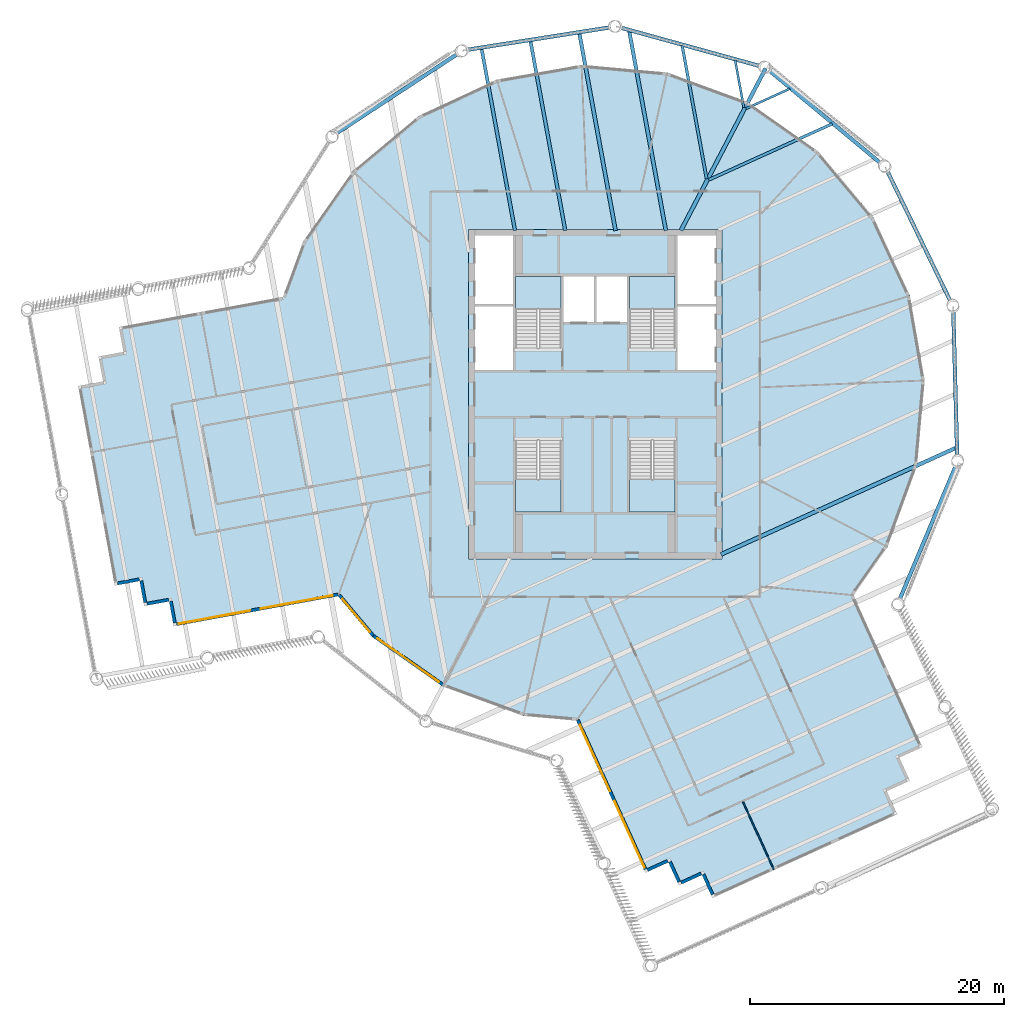
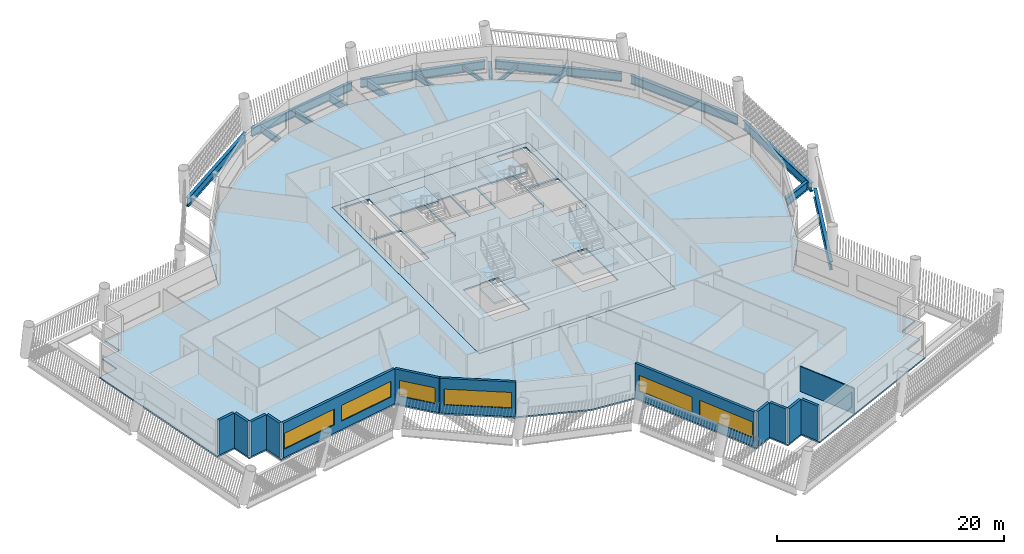
# One storey, part 2 of 15: 17 beams, 13 walls, 6 slabs, 6 windows, 6 openings, 4 elements without a shape of their own.
"""IFC4 building model written with IfcOpenShell, lengths in metres."""

from ifc_helpers import new_model, si_unit, direction, frame, frame_2d, origin, origin_2d, place, context, subcontext, project, spatial, polyline, rectangle, i_section, outline, extrude, material, layer, layer_set, material_profile, profile_set, type_object, element, fill, aggregate, save


model = new_model("IFC4")

# Units and contexts
model_context = context("Model", 3, precision=1e-05, world=origin(), true_north=direction((0.0, 1.0)))
body_context = subcontext(model_context, "Body", "Model", "MODEL_VIEW")
ifc_project = project(units=[si_unit("LENGTHUNIT", "METRE"), si_unit("AREAUNIT", "SQUARE_METRE"), si_unit("VOLUMEUNIT", "CUBIC_METRE"), si_unit("PLANEANGLEUNIT", "RADIAN"), si_unit("MASSUNIT", "GRAM", prefix="KILO")], contexts=[model_context])

# Site, building, storey
site_placement = place(None, origin())
site = spatial("IfcSite", under=ifc_project, at=site_placement, CompositionType="ELEMENT")
building_placement = place(site_placement, origin())
building = spatial("IfcBuilding", under=site, at=building_placement, Name="Tarsis Ring Headquarters", CompositionType="ELEMENT")
storey_placement = place(building_placement, frame((0.0, 0.0, 327.5)))
storey = spatial("IfcBuildingStorey", under=building, at=storey_placement, Name="L77", CompositionType="ELEMENT", Elevation=327.5)

# Beams
ifc_material_1 = material(Name="Structural steel S355", Category="steel")
ifc_material_profile_1 = material_profile(ifc_material_1, i_section(OverallWidth=0.177734375, OverallDepth=0.406494140625, WebThickness=0.0078125, FlangeThickness=0.0126953125, at=origin_2d()), Name="W16x40")
ifc_profile_set_1 = profile_set([ifc_material_profile_1], Name="Structural steel S355")
beam_type_1 = type_object("IfcBeamType", Name="FB Floor beam W16x40", PredefinedType="JOIST", material=ifc_profile_set_1)
for number, where, z_axis, x_axis, name in (
    (1, (11.87744140625, 22.517822265625, -0.36328125), (0.91067603227, 0.413121246427, 0.0), (-0.413121246427, 0.91067603227, 0.0), "Floor beam FB1"),
    (2, (11.02490234375, 26.346923828125, -0.36328125), (0.180545120833, -0.983566703047, 0.0), (0.983566703047, 0.180545120833, 0.0), "Floor beam FB1"),
):
    element("IfcBeam", number, at=place(storey_placement, frame(where, z_axis=z_axis, x_axis=x_axis)), inside=storey, type_object=beam_type_1, Name=name, PredefinedType="JOIST", context=body_context, shape_type="SweptSolid", body=[
        extrude(i_section(OverallWidth=0.177734375, OverallDepth=0.406494140625, WebThickness=0.0078125, FlangeThickness=0.0126953125, at=origin_2d()), origin(), (0.0, 0.0, 1.0), 3.80517578125),
    ])
ifc_material_profile_2 = material_profile(ifc_material_1, i_section(OverallWidth=0.228271484375, OverallDepth=0.607177734375, WebThickness=0.01123046875, FlangeThickness=0.017333984375, at=origin_2d()), Name="W24x76")
ifc_profile_set_2 = profile_set([ifc_material_profile_2], Name="Structural steel S355")
beam_type_2 = type_object("IfcBeamType", Name="FB Floor beam W24x76", PredefinedType="JOIST", material=ifc_profile_set_2)
for number, where, z_axis, x_axis, name in (
    (3, (8.942626953125, 16.904052734375, -0.463623046875), (0.910687816385, 0.413095268778, 0.0), (-0.413095268778, 0.910687816385, 0.0), "Floor beam FB4"),
    (4, (6.848388671875, 27.499755859375, -0.463623046875), (0.180509874572, -0.983573172256, 0.0), (0.983573172256, 0.180509874572, 0.0), "Floor beam FB4"),
):
    element("IfcBeam", number, at=place(storey_placement, frame(where, z_axis=z_axis, x_axis=x_axis)), inside=storey, type_object=beam_type_2, Name=name, PredefinedType="JOIST", context=body_context, shape_type="SweptSolid", body=[
        extrude(i_section(OverallWidth=0.228271484375, OverallDepth=0.607177734375, WebThickness=0.01123046875, FlangeThickness=0.017333984375, at=origin_2d()), origin(), (0.0, 0.0, 1.0), 10.684814453125),
    ])
ifc_material_profile_3 = material_profile(ifc_material_1, i_section(OverallWidth=0.2666015625, OverallDepth=0.7568359375, WebThickness=0.013916015625, FlangeThickness=0.019287109375, at=origin_2d()), Name="W30x108")
ifc_profile_set_3 = profile_set([ifc_material_profile_3], Name="Structural steel S355")
beam_type_3 = type_object("IfcBeamType", Name="FB Floor beam W30x108", PredefinedType="JOIST", material=ifc_profile_set_3)
beam_1_placement = place(storey_placement, frame((-5.11767578125, 27.88427734375, -0.538330078125), z_axis=(0.180514196191, -0.983572379123, 0.0), x_axis=(0.983572379123, 0.180514196191, 0.0)))
element("IfcBeam", 5, at=beam_1_placement, inside=storey, type_object=beam_type_3, Name="Floor beam FB6", PredefinedType="JOIST", context=body_context, shape_type="SweptSolid", body=[
    extrude(i_section(OverallWidth=0.2666015625, OverallDepth=0.7568359375, WebThickness=0.013916015625, FlangeThickness=0.019287109375, at=origin_2d()), origin(), (0.0, 0.0, 1.0), 15.23291015625),
])
beam_2_placement = place(storey_placement, frame((-8.971923828125, 27.27978515625, -0.538330078125), z_axis=(0.180520952289, -0.983571139158, 0.0), x_axis=(0.983571139158, 0.180520952289, 0.0)))
element("IfcBeam", 6, at=beam_2_placement, inside=storey, type_object=beam_type_3, Name="Floor beam FB6", PredefinedType="JOIST", context=body_context, shape_type="SweptSolid", body=[
    extrude(i_section(OverallWidth=0.2666015625, OverallDepth=0.7568359375, WebThickness=0.013916015625, FlangeThickness=0.019287109375, at=origin_2d()), origin(), (0.0, 0.0, 1.0), 14.618408203125),
])
ifc_material_profile_4 = material_profile(ifc_material_1, i_section(OverallWidth=0.2919921875, OverallDepth=0.835693359375, WebThickness=0.013916015625, FlangeThickness=0.018798828125, at=origin_2d()), Name="W33x118")
ifc_profile_set_4 = profile_set([ifc_material_profile_4], Name="Structural steel S355")
beam_type_4 = type_object("IfcBeamType", Name="FB Floor beam W33x118", PredefinedType="JOIST", material=ifc_profile_set_4)
beam_3_placement = place(storey_placement, frame((2.671630859375, 28.65234375, -0.577880859375), z_axis=(0.180523300856, -0.983570708108, 0.0), x_axis=(0.983570708108, 0.180523300856, 0.0)))
element("IfcBeam", 7, at=beam_3_placement, inside=storey, type_object=beam_type_4, Name="Floor beam FB7", PredefinedType="JOIST", context=body_context, shape_type="SweptSolid", body=[
    extrude(i_section(OverallWidth=0.2919921875, OverallDepth=0.835693359375, WebThickness=0.013916015625, FlangeThickness=0.018798828125, at=origin_2d()), origin(), (0.0, 0.0, 1.0), 16.013916015625),
])
beam_4_placement = place(storey_placement, frame((-1.263427734375, 28.48876953125, -0.577880859375), z_axis=(0.180507964093, -0.983573522874, 0.0), x_axis=(0.983573522874, 0.180507964093, 0.0)))
element("IfcBeam", 8, at=beam_4_placement, inside=storey, type_object=beam_type_4, Name="Floor beam FB7", PredefinedType="JOIST", context=body_context, shape_type="SweptSolid", body=[
    extrude(i_section(OverallWidth=0.2919921875, OverallDepth=0.835693359375, WebThickness=0.013916015625, FlangeThickness=0.018798828125, at=origin_2d()), origin(), (0.0, 0.0, 1.0), 15.847412109375),
])
ifc_material_profile_5 = material_profile(ifc_material_1, i_section(OverallWidth=0.3046875, OverallDepth=0.904296875, WebThickness=0.01513671875, FlangeThickness=0.02001953125, at=origin_2d()), Name="W36x135")
ifc_profile_set_5 = profile_set([ifc_material_profile_5], Name="Structural steel S355")
beam_type_5 = type_object("IfcBeamType", Name="FB Floor beam W36x135", PredefinedType="JOIST", material=ifc_profile_set_5)
beam_5_placement = place(storey_placement, frame((9.908935546875, -12.635009765625, -0.612060546875), z_axis=(0.910685589197, 0.413100178683, 0.0), x_axis=(-0.413100178683, 0.910685589197, 0.0)))
element("IfcBeam", 9, at=beam_5_placement, inside=storey, type_object=beam_type_5, Name="Floor beam FB8", PredefinedType="JOIST", context=body_context, shape_type="SweptSolid", body=[
    extrude(i_section(OverallWidth=0.3046875, OverallDepth=0.904296875, WebThickness=0.01513671875, FlangeThickness=0.02001953125, at=origin_2d()), origin(), (0.0, 0.0, 1.0), 20.366943359375),
])
ifc_material_profile_6 = material_profile(ifc_material_1, i_section(OverallWidth=0.309814453125, OverallDepth=0.949951171875, WebThickness=0.0244140625, FlangeThickness=0.0439453125, at=origin_2d()), Name="W36x256")
ifc_profile_set_6 = profile_set([ifc_material_profile_6], Name="Structural steel S355")
beam_type_6 = type_object("IfcBeamType", Name="FB Floor beam W36x256 spine", PredefinedType="BEAM", material=ifc_profile_set_6)
beam_6_placement = place(storey_placement, frame((13.430908203125, 25.691162109375, -0.635009765625), z_axis=(-0.463285033045, -0.88620933089, 0.0), x_axis=(0.88620933089, -0.463285033045, 0.0)))
element("IfcBeam", 10, at=beam_6_placement, inside=storey, type_object=beam_type_6, Name="Floor beam SB11", PredefinedType="BEAM", context=body_context, shape_type="SweptSolid", body=[
    extrude(i_section(OverallWidth=0.309814453125, OverallDepth=0.949951171875, WebThickness=0.0244140625, FlangeThickness=0.0439453125, at=origin_2d()), origin(), (0.0, 0.0, 1.0), 14.420654296875),
])
ifc_material_profile_7 = material_profile(ifc_material_1, i_section(OverallWidth=0.309814453125, OverallDepth=0.93212890625, WebThickness=0.02099609375, FlangeThickness=0.034423828125, at=origin_2d()), Name="W36x210")
ifc_profile_set_7 = profile_set([ifc_material_profile_7], Name="Structural steel S355")
beam_type_7 = type_object("IfcBeamType", Name="XG Ring girder W36x210", PredefinedType="BEAM", material=ifc_profile_set_7)
for number, where, z_axis, x_axis, name in (
    (11, (23.97216796875, -16.248779296875, -0.466064453125), (0.387483398912, 0.921876681323, 0.0), (-0.921876681323, 0.387483398912, 0.0), "Ring girder XG3"),
    (12, (28.53857421875, -4.923095703125, -0.466064453125), (-0.026944738445, 0.999636924623, 0.0), (-0.999636924623, -0.026944738445, 0.0), "Ring girder XG3"),
    (13, (28.030517578125, 7.27783203125, -0.466064453125), (-0.436567189086, 0.899671656447, 0.0), (-0.899671656447, -0.436567189086, 0.0), "Ring girder XG3"),
):
    element("IfcBeam", number, at=place(storey_placement, frame(where, z_axis=z_axis, x_axis=x_axis)), inside=storey, type_object=beam_type_7, Name=name, PredefinedType="BEAM", context=body_context, shape_type="SweptSolid", body=[
        extrude(i_section(OverallWidth=0.309814453125, OverallDepth=0.93212890625, WebThickness=0.02099609375, FlangeThickness=0.034423828125, at=origin_2d()), origin(), (0.0, 0.0, 1.0), 11.38037109375),
    ])
for number, where, z_axis, x_axis, name in (
    (14, (22.538818359375, 18.184814453125, -0.466064453125), (-0.768599212069, 0.639730608309, 0.0), (-0.639730608309, -0.768599212069, 0.0), "Ring girder XG3"),
    (15, (13.039306640625, 25.8583984375, -0.466064453125), (-0.963961320525, 0.266042426186, 0.0), (-0.266042426186, -0.963961320525, 0.0), "Ring girder XG3"),
    (16, (1.221435546875, 28.934326171875, -0.466064453125), (-0.987921265124, -0.154956683996, 0.0), (0.154956683996, -0.987921265124, 0.0), "Ring girder XG3"),
    (17, (-10.8134765625, 26.865478515625, -0.466064453125), (-0.836224691661, -0.548386966527, 0.0), (0.548386966527, -0.836224691661, 0.0), "Ring girder XG3"),
):
    element("IfcBeam", number, at=place(storey_placement, frame(where, z_axis=z_axis, x_axis=x_axis)), inside=storey, type_object=beam_type_7, Name=name, PredefinedType="BEAM", context=body_context, shape_type="SweptSolid", body=[
        extrude(i_section(OverallWidth=0.309814453125, OverallDepth=0.93212890625, WebThickness=0.02099609375, FlangeThickness=0.034423828125, at=origin_2d()), origin(), (0.0, 0.0, 1.0), 11.380126953125),
    ])

# Slab
ifc_material_2 = material(Name="Concrete C40/50", Category="concrete")
ifc_layer_1 = layer(ifc_material_2, 0.159912109375)
ifc_layer_set_1 = layer_set([ifc_layer_1], Name="Core floor slab 160 C40/50")
slab_type_1 = type_object("IfcSlabType", Name="Core floor slab 160 C40/50", PredefinedType="FLOOR", material=ifc_layer_set_1)
slab_1_placement = place(storey_placement, frame((0.0, 0.0, -0.159912109375)))
element("IfcSlab", 18, at=slab_1_placement, inside=storey, type_object=slab_type_1, Name="L77 core floor slab", PredefinedType="FLOOR", context=body_context, shape_type="SweptSolid", body=[
    extrude(outline(polyline([(-10.0, -13.0), (10.0, -13.0), (10.0, 13.0), (-10.0, 13.0), (-10.0, -13.0)]), holes=[polyline([(-2.5, 5.699951171875), (-0.10009765625, 5.699951171875), (-0.10009765625, 9.300048828125), (-2.5, 9.300048828125), (-2.5, 5.699951171875)]), polyline([(0.10009765625, 5.699951171875), (2.5, 5.699951171875), (2.5, 9.300048828125), (0.10009765625, 9.300048828125), (0.10009765625, 5.699951171875)]), polyline([(-9.5, 1.89990234375), (-6.5, 1.89990234375), (-6.5, 6.89990234375), (-9.5, 6.89990234375), (-9.5, 1.89990234375)]), polyline([(-9.5, 7.10009765625), (-6.5, 7.10009765625), (-6.5, 12.5), (-9.5, 12.5), (-9.5, 7.10009765625)]), polyline([(6.5, 1.89990234375), (9.5, 1.89990234375), (9.5, 6.89990234375), (6.5, 6.89990234375), (6.5, 1.89990234375)]), polyline([(6.5, 7.10009765625), (9.5, 7.10009765625), (9.5, 12.5), (6.5, 12.5), (6.5, 7.10009765625)]), polyline([(-2.699951171875, 3.760009765625), (-2.699951171875, 9.300048828125), (-6.300048828125, 9.300048828125), (-6.300048828125, 3.659912109375), (-4.4599609375, 3.659912109375), (-4.4599609375, 3.760009765625), (-2.699951171875, 3.760009765625)]), polyline([(6.300048828125, 3.760009765625), (6.300048828125, 9.300048828125), (2.699951171875, 9.300048828125), (2.699951171875, 3.659912109375), (4.5400390625, 3.659912109375), (4.5400390625, 3.760009765625), (6.300048828125, 3.760009765625)]), polyline([(-6.300048828125, -3.760009765625), (-6.300048828125, -9.300048828125), (-2.699951171875, -9.300048828125), (-2.699951171875, -3.659912109375), (-4.5400390625, -3.659912109375), (-4.5400390625, -3.760009765625), (-6.300048828125, -3.760009765625)]), polyline([(2.699951171875, -3.760009765625), (2.699951171875, -9.300048828125), (6.300048828125, -9.300048828125), (6.300048828125, -3.659912109375), (4.4599609375, -3.659912109375), (4.4599609375, -3.760009765625), (2.699951171875, -3.760009765625)])]), origin(), (0.0, 0.0, 1.0), 0.159912109375),
])

# Stair, slab
ifc_material_3 = material(Name="Core stair 1760")
stair_type = type_object("IfcStairType", Name="Core stair 1760", PredefinedType="HALF_TURN_STAIR", material=ifc_material_3)
stair_1_placement = place(storey_placement, origin())
stair_1 = element("IfcStair", 19, at=stair_1_placement, inside=storey, type_object=stair_type, Name="L77 Firefighting stair", PredefinedType="HALF_TURN_STAIR")
ifc_layer_2 = layer(ifc_material_2, 0.199951171875)
ifc_layer_set_2 = layer_set([ifc_layer_2], Name="Core stair landing 200")
slab_type_2 = type_object("IfcSlabType", Name="Core stair landing 200", PredefinedType="LANDING", material=ifc_layer_set_2)
slab_2_placement = place(storey_placement, frame((0.0, 0.0, 1.75)))
slab_2 = element("IfcSlab", 20, at=slab_2_placement, type_object=slab_type_2, Name="Stair ST1 landing 1", PredefinedType="LANDING", context=body_context, shape_type="SweptSolid", body=[
    extrude(outline(polyline([(-2.699951171875, 6.739990234375), (-2.699951171875, 9.300048828125), (-6.300048828125, 9.300048828125), (-6.300048828125, 6.739990234375), (-2.699951171875, 6.739990234375)])), origin(), (0.0, 0.0, 1.0), 0.199951171875),
])
aggregate(stair_1, [slab_2])

stair_2_placement = place(storey_placement, origin())
stair_2 = element("IfcStair", 21, at=stair_2_placement, inside=storey, type_object=stair_type, Name="L77 Exit stair B", PredefinedType="HALF_TURN_STAIR")
slab_3_placement = place(storey_placement, frame((0.0, 0.0, 1.75)))
slab_3 = element("IfcSlab", 22, at=slab_3_placement, type_object=slab_type_2, Name="Stair ST2 landing 1", PredefinedType="LANDING", context=body_context, shape_type="SweptSolid", body=[
    extrude(outline(polyline([(6.300048828125, 6.739990234375), (6.300048828125, 9.300048828125), (2.699951171875, 9.300048828125), (2.699951171875, 6.739990234375), (6.300048828125, 6.739990234375)])), origin(), (0.0, 0.0, 1.0), 0.199951171875),
])
aggregate(stair_2, [slab_3])

stair_3_placement = place(storey_placement, origin())
stair_3 = element("IfcStair", 23, at=stair_3_placement, inside=storey, type_object=stair_type, Name="L77 Exit stair C", PredefinedType="HALF_TURN_STAIR")
slab_4_placement = place(storey_placement, frame((0.0, 0.0, 1.75)))
slab_4 = element("IfcSlab", 24, at=slab_4_placement, type_object=slab_type_2, Name="Stair ST3 landing 1", PredefinedType="LANDING", context=body_context, shape_type="SweptSolid", body=[
    extrude(outline(polyline([(-6.300048828125, -6.739990234375), (-6.300048828125, -9.300048828125), (-2.699951171875, -9.300048828125), (-2.699951171875, -6.739990234375), (-6.300048828125, -6.739990234375)])), origin(), (0.0, 0.0, 1.0), 0.199951171875),
])
aggregate(stair_3, [slab_4])

stair_4_placement = place(storey_placement, origin())
stair_4 = element("IfcStair", 25, at=stair_4_placement, inside=storey, type_object=stair_type, Name="L77 Exit stair D", PredefinedType="HALF_TURN_STAIR")
slab_5_placement = place(storey_placement, frame((0.0, 0.0, 1.75)))
slab_5 = element("IfcSlab", 26, at=slab_5_placement, type_object=slab_type_2, Name="Stair ST4 landing 1", PredefinedType="LANDING", context=body_context, shape_type="SweptSolid", body=[
    extrude(outline(polyline([(2.699951171875, -6.739990234375), (2.699951171875, -9.300048828125), (6.300048828125, -9.300048828125), (6.300048828125, -6.739990234375), (2.699951171875, -6.739990234375)])), origin(), (0.0, 0.0, 1.0), 0.199951171875),
])
aggregate(stair_4, [slab_5])

# Slab
ifc_material_4 = material(Name="Concrete C35/45", Category="concrete")
ifc_layer_3 = layer(ifc_material_4, 0.159912109375)
ifc_layer_set_3 = layer_set([ifc_layer_3], Name="FS Composite floor slab 160")
slab_type_3 = type_object("IfcSlabType", Name="FS Composite floor slab 160", PredefinedType="FLOOR", material=ifc_layer_set_3)
slab_6_placement = place(storey_placement, frame((0.0, 0.0, -0.159912109375)))
element("IfcSlab", 27, at=slab_6_placement, inside=storey, type_object=slab_type_3, Name="Floor slab L77", PredefinedType="FLOOR", context=body_context, shape_type="SweptSolid", body=[
    extrude(outline(polyline([(-20.286865234375, -15.923828125), (-17.598876953125, -19.138427734375), (-12.045654296875, -23.041259765625), (-5.671630859375, -25.373779296875), (-1.497802734375, -25.746337890625), (3.943603515625, -37.741943359375), (5.764892578125, -36.915771484375), (6.591064453125, -38.737060546875), (8.41259765625, -37.910888671875), (9.23876953125, -39.732177734375), (23.8095703125, -33.12255859375), (22.9833984375, -31.301025390625), (24.8046875, -30.474853515625), (23.978515625, -28.653564453125), (25.800048828125, -27.827392578125), (20.3671875, -15.8505859375), (23.041259765625, -12.045654296875), (25.373779296875, -5.671630859375), (25.977294921875, 1.0888671875), (24.810302734375, 7.775146484375), (21.95263671875, 13.931396484375), (17.598876953125, 19.138427734375), (12.045654296875, 23.041259765625), (5.671630859375, 25.373779296875), (-1.0888671875, 25.977294921875), (-7.775146484375, 24.810302734375), (-13.931396484375, 21.95263671875), (-19.138427734375, 17.598876953125), (-23.041259765625, 12.045654296875), (-24.6396484375, 7.67822265625), (-37.57470703125, 5.30419921875), (-37.2138671875, 3.3369140625), (-39.180908203125, 2.97607421875), (-38.81982421875, 1.0087890625), (-40.787109375, 0.647705078125), (-37.898681640625, -15.08935546875), (-35.931640625, -14.728271484375), (-35.570556640625, -16.695556640625), (-33.603271484375, -16.33447265625), (-33.242431640625, -18.301513671875), (-20.286865234375, -15.923828125)]), holes=[polyline([(-10.0, -13.0), (-10.0, 13.0), (10.0, 13.0), (10.0, -13.0), (-10.0, -13.0)])]), origin(), (0.0, 0.0, 1.0), 0.159912109375),
])

# Wall
ifc_material_5 = material(Name="Gypsum board on steel studs", Category="steel")
ifc_layer_4 = layer(ifc_material_5, 0.10009765625)
ifc_layer_set_4 = layer_set([ifc_layer_4], Name="FL partition 100 unrated")
wall_type_1 = type_object("IfcWallType", Name="FL partition 100 unrated", PredefinedType="PARTITIONING", material=ifc_layer_set_4)
wall_1_placement = place(storey_placement, frame((11.651123046875, -32.148193359375, 0.0), z_axis=(0.0, 0.0, 1.0), x_axis=(0.413115411619, -0.910678679163, 0.0)))
element("IfcWall", 28, at=wall_1_placement, inside=storey, type_object=wall_type_1, Name="Partition PW3", PredefinedType="PARTITIONING", context=body_context, shape_type="SweptSolid", body=[
    extrude(rectangle(XDim=5.860107421875, YDim=0.10009765625, at=frame_2d((2.93017578125, 0.0))), origin(), (0.0, 0.0, 1.0), 2.699951171875),
])

# Wall, openings, windows
ifc_material_6 = material(Name="Terracotta clad insulated panel wall", Category="masonry")
ifc_layer_5 = layer(ifc_material_6, 0.25)
ifc_layer_set_5 = layer_set([ifc_layer_5], Name="Facade wall terracotta panel 250")
wall_type_2 = type_object("IfcWallType", Name="Facade wall terracotta panel 250", PredefinedType="STANDARD", material=ifc_layer_set_5)
wall_2_placement = place(storey_placement, frame((-33.01904296875, -18.133544921875, 0.0), z_axis=(0.0, 0.0, 1.0), x_axis=(0.983570177411, 0.180526192304, 0.0)))
wall_2 = element("IfcWall", 29, at=wall_2_placement, inside=storey, type_object=wall_type_2, Name="External wall L77-01", PredefinedType="STANDARD", context=body_context, shape_type="SweptSolid", body=[
    extrude(rectangle(XDim=12.922119140625, YDim=0.25, at=frame_2d((6.4609375, 0.0))), origin(), (0.0, 0.0, 1.0), 3.739990234375),
])
opening_1_placement = place(wall_2_placement, frame((0.16796875, 0.0, 0.89990234375)))
opening_1 = element("IfcOpeningElement", 30, at=opening_1_placement, cuts=wall_2, Name="Opening WN06", PredefinedType="OPENING", context=body_context, shape_type="SweptSolid", body=[
    extrude(rectangle(XDim=5.75, YDim=1.699951171875, at=frame_2d((2.875, 0.85009765625))), frame((0.0, 0.135009765625, 0.0), z_axis=(0.0, -1.0, 0.0), x_axis=(1.0, 0.0, 0.0)), (0.0, 0.0, 1.0), 0.27001953125),
])
opening_2_placement = place(wall_2_placement, frame((6.75390625, 0.0, 0.89990234375)))
opening_2 = element("IfcOpeningElement", 31, at=opening_2_placement, cuts=wall_2, Name="Opening WN06", PredefinedType="OPENING", context=body_context, shape_type="SweptSolid", body=[
    extrude(rectangle(XDim=5.75, YDim=1.699951171875, at=frame_2d((2.875, 0.85009765625))), frame((0.0, 0.135009765625, 0.0), z_axis=(0.0, -1.0, 0.0), x_axis=(1.0, 0.0, 0.0)), (0.0, 0.0, 1.0), 0.27001953125),
])
ifc_material_7 = material(Name="Aluminium framed double glazing", Category="aluminium")
window_type_1 = type_object("IfcWindowType", Name="Facade window 5750 x 1700", PartitioningType="SINGLE_PANEL", PredefinedType="WINDOW", material=ifc_material_7)
window_1_placement = place(opening_1_placement, origin())
window_1 = element("IfcWindow", 32, at=window_1_placement, inside=storey, type_object=window_type_1, Name="Window L77-01.1", OverallHeight=1.699951171875, OverallWidth=5.75, PartitioningType="SINGLE_PANEL", PredefinedType="WINDOW", context=body_context, shape_type="SweptSolid", body=[
    extrude(rectangle(XDim=5.75, YDim=1.699951171875, at=frame_2d((2.875, 0.85009765625))), frame((0.0, 0.030029296875, 0.0), z_axis=(0.0, -1.0, 0.0), x_axis=(1.0, 0.0, 0.0)), (0.0, 0.0, 1.0), 0.06005859375),
])
fill(opening_1, window_1)
window_2_placement = place(opening_2_placement, origin())
window_2 = element("IfcWindow", 33, at=window_2_placement, inside=storey, type_object=window_type_1, Name="Window L77-01.2", OverallHeight=1.699951171875, OverallWidth=5.75, PartitioningType="SINGLE_PANEL", PredefinedType="WINDOW", context=body_context, shape_type="SweptSolid", body=[
    extrude(rectangle(XDim=5.75, YDim=1.699951171875, at=frame_2d((2.875, 0.85009765625))), frame((0.0, 0.030029296875, 0.0), z_axis=(0.0, -1.0, 0.0), x_axis=(1.0, 0.0, 0.0)), (0.0, 0.0, 1.0), 0.06005859375),
])
fill(opening_2, window_2)

# Wall, opening, window
wall_3_placement = place(storey_placement, frame((-20.19091796875, -15.843505859375, 0.0), z_axis=(0.0, 0.0, 1.0), x_axis=(0.641448400965, -0.767166180759, 0.0)))
wall_3 = element("IfcWall", 34, at=wall_3_placement, inside=storey, type_object=wall_type_2, Name="External wall L77-02", PredefinedType="STANDARD", context=body_context, shape_type="SweptSolid", body=[
    extrude(rectangle(XDim=4.15771484375, YDim=0.25, at=frame_2d((2.078857421875, 0.0))), origin(), (0.0, 0.0, 1.0), 3.739990234375),
])
opening_3_placement = place(wall_3_placement, frame((0.420166015625, 0.0, 0.89990234375)))
opening_3 = element("IfcOpeningElement", 35, at=opening_3_placement, cuts=wall_3, Name="Opening WN01", PredefinedType="OPENING", context=body_context, shape_type="SweptSolid", body=[
    extrude(rectangle(XDim=3.35009765625, YDim=1.699951171875, at=frame_2d((1.675048828125, 0.85009765625))), frame((0.0, 0.135009765625, 0.0), z_axis=(0.0, -1.0, 0.0), x_axis=(1.0, 0.0, 0.0)), (0.0, 0.0, 1.0), 0.27001953125),
])
window_type_2 = type_object("IfcWindowType", Name="Facade window 3350 x 1700", PartitioningType="SINGLE_PANEL", PredefinedType="WINDOW", material=ifc_material_7)
window_3_placement = place(opening_3_placement, origin())
window_3 = element("IfcWindow", 36, at=window_3_placement, inside=storey, type_object=window_type_2, Name="Window L77-02.1", OverallHeight=1.699951171875, OverallWidth=3.35009765625, PartitioningType="SINGLE_PANEL", PredefinedType="WINDOW", context=body_context, shape_type="SweptSolid", body=[
    extrude(rectangle(XDim=3.35009765625, YDim=1.699951171875, at=frame_2d((1.675048828125, 0.85009765625))), frame((0.0, 0.030029296875, 0.0), z_axis=(0.0, -1.0, 0.0), x_axis=(1.0, 0.0, 0.0)), (0.0, 0.0, 1.0), 0.06005859375),
])
fill(opening_3, window_3)

wall_4_placement = place(storey_placement, frame((-17.5, -19.05517578125, 0.0), z_axis=(0.0, 0.0, 1.0), x_axis=(0.818146900541, -0.575009260043, 0.0)))
wall_4 = element("IfcWall", 37, at=wall_4_placement, inside=storey, type_object=wall_type_2, Name="External wall L77-03", PredefinedType="STANDARD", context=body_context, shape_type="SweptSolid", body=[
    extrude(rectangle(XDim=6.7216796875, YDim=0.25, at=frame_2d((3.36083984375, 0.0))), origin(), (0.0, 0.0, 1.0), 3.739990234375),
])
opening_4_placement = place(wall_4_placement, frame((0.3857421875, 0.0, 0.89990234375)))
opening_4 = element("IfcOpeningElement", 38, at=opening_4_placement, cuts=wall_4, Name="Opening WN07", PredefinedType="OPENING", context=body_context, shape_type="SweptSolid", body=[
    extrude(rectangle(XDim=5.949951171875, YDim=1.699951171875, at=frame_2d((2.97509765625, 0.85009765625))), frame((0.0, 0.135009765625, 0.0), z_axis=(0.0, -1.0, 0.0), x_axis=(1.0, 0.0, 0.0)), (0.0, 0.0, 1.0), 0.27001953125),
])
window_type_3 = type_object("IfcWindowType", Name="Facade window 5950 x 1700", PartitioningType="SINGLE_PANEL", PredefinedType="WINDOW", material=ifc_material_7)
window_4_placement = place(opening_4_placement, origin())
window_4 = element("IfcWindow", 39, at=window_4_placement, inside=storey, type_object=window_type_3, Name="Window L77-03.1", OverallHeight=1.699951171875, OverallWidth=5.949951171875, PartitioningType="SINGLE_PANEL", PredefinedType="WINDOW", context=body_context, shape_type="SweptSolid", body=[
    extrude(rectangle(XDim=5.949951171875, YDim=1.699951171875, at=frame_2d((2.97509765625, 0.85009765625))), frame((0.0, 0.030029296875, 0.0), z_axis=(0.0, -1.0, 0.0), x_axis=(1.0, 0.0, 0.0)), (0.0, 0.0, 1.0), 0.06005859375),
])
fill(opening_4, window_4)

# Wall, openings, windows
wall_5_placement = place(storey_placement, frame((-1.384033203125, -25.69482421875, 0.0), z_axis=(0.0, 0.0, 1.0), x_axis=(0.413105318023, -0.910683257901, 0.0)))
wall_5 = element("IfcWall", 40, at=wall_5_placement, inside=storey, type_object=wall_type_2, Name="External wall L77-06", PredefinedType="STANDARD", context=body_context, shape_type="SweptSolid", body=[
    extrude(rectangle(XDim=12.921875, YDim=0.25, at=frame_2d((6.4609375, 0.0))), origin(), (0.0, 0.0, 1.0), 3.739990234375),
])
opening_5_placement = place(wall_5_placement, frame((0.41796875, 0.0, 0.89990234375)))
opening_5 = element("IfcOpeningElement", 41, at=opening_5_placement, cuts=wall_5, Name="Opening WN06", PredefinedType="OPENING", context=body_context, shape_type="SweptSolid", body=[
    extrude(rectangle(XDim=5.75, YDim=1.699951171875, at=frame_2d((2.875, 0.85009765625))), frame((0.0, 0.135009765625, 0.0), z_axis=(0.0, -1.0, 0.0), x_axis=(1.0, 0.0, 0.0)), (0.0, 0.0, 1.0), 0.27001953125),
])
opening_6_placement = place(wall_5_placement, frame((7.00390625, 0.0, 0.89990234375)))
opening_6 = element("IfcOpeningElement", 42, at=opening_6_placement, cuts=wall_5, Name="Opening WN06", PredefinedType="OPENING", context=body_context, shape_type="SweptSolid", body=[
    extrude(rectangle(XDim=5.75, YDim=1.699951171875, at=frame_2d((2.875, 0.85009765625))), frame((0.0, 0.135009765625, 0.0), z_axis=(0.0, -1.0, 0.0), x_axis=(1.0, 0.0, 0.0)), (0.0, 0.0, 1.0), 0.27001953125),
])
window_5_placement = place(opening_5_placement, origin())
window_5 = element("IfcWindow", 43, at=window_5_placement, inside=storey, type_object=window_type_1, Name="Window L77-06.1", OverallHeight=1.699951171875, OverallWidth=5.75, PartitioningType="SINGLE_PANEL", PredefinedType="WINDOW", context=body_context, shape_type="SweptSolid", body=[
    extrude(rectangle(XDim=5.75, YDim=1.699951171875, at=frame_2d((2.875, 0.85009765625))), frame((0.0, 0.030029296875, 0.0), z_axis=(0.0, -1.0, 0.0), x_axis=(1.0, 0.0, 0.0)), (0.0, 0.0, 1.0), 0.06005859375),
])
fill(opening_5, window_5)
window_6_placement = place(opening_6_placement, origin())
window_6 = element("IfcWindow", 44, at=window_6_placement, inside=storey, type_object=window_type_1, Name="Window L77-06.2", OverallHeight=1.699951171875, OverallWidth=5.75, PartitioningType="SINGLE_PANEL", PredefinedType="WINDOW", context=body_context, shape_type="SweptSolid", body=[
    extrude(rectangle(XDim=5.75, YDim=1.699951171875, at=frame_2d((2.875, 0.85009765625))), frame((0.0, 0.030029296875, 0.0), z_axis=(0.0, -1.0, 0.0), x_axis=(1.0, 0.0, 0.0)), (0.0, 0.0, 1.0), 0.06005859375),
])
fill(opening_6, window_6)

# Walls
wall_6_placement = place(storey_placement, frame((4.11962890625, -37.524658203125, 0.0), z_axis=(0.0, 0.0, 1.0), x_axis=(0.910695843416, 0.413077572358, 0.0)))
element("IfcWall", 45, at=wall_6_placement, inside=storey, type_object=wall_type_2, Name="External wall L77-07", PredefinedType="STANDARD", context=body_context, shape_type="SweptSolid", body=[
    extrude(rectangle(XDim=1.75, YDim=0.25, at=frame_2d((0.875, 0.0))), origin(), (0.0, 0.0, 1.0), 3.739990234375),
])
for number, where, z_axis, x_axis, name in (
    (46, (5.878662109375, -36.864013671875, 0.0), (0.0, 0.0, 1.0), (0.413193264104, -0.910643358565, 0.0), "External wall L77-08"),
    (47, (6.76708984375, -38.52001953125, 0.0), (0.0, 0.0, 1.0), (0.910643358565, 0.413193264104, 0.0), "External wall L77-09"),
):
    element("IfcWall", number, at=place(storey_placement, frame(where, z_axis=z_axis, x_axis=x_axis)), inside=storey, type_object=wall_type_2, Name=name, PredefinedType="STANDARD", context=body_context, shape_type="SweptSolid", body=[
        extrude(rectangle(XDim=1.750244140625, YDim=0.25, at=frame_2d((0.875, 0.0))), origin(), (0.0, 0.0, 1.0), 3.739990234375),
    ])
for number, where, z_axis, x_axis, name in (
    (48, (8.5263671875, -37.859130859375, 0.0), (0.0, 0.0, 1.0), (0.413077572358, -0.910695843416, 0.0), "External wall L77-10"),
    (49, (-37.67529296875, -14.921142578125, 0.0), (0.0, 0.0, 1.0), (0.983594181888, 0.180395358465, 0.0), "External wall L77-37"),
    (50, (-35.80859375, -14.705810546875, 0.0), (0.0, 0.0, 1.0), (0.180530330047, -0.983569417953, 0.0), "External wall L77-38"),
    (51, (-35.34716796875, -16.52734375, 0.0), (0.0, 0.0, 1.0), (0.983569417953, 0.180530330047, 0.0), "External wall L77-39"),
):
    element("IfcWall", number, at=place(storey_placement, frame(where, z_axis=z_axis, x_axis=x_axis)), inside=storey, type_object=wall_type_2, Name=name, PredefinedType="STANDARD", context=body_context, shape_type="SweptSolid", body=[
        extrude(rectangle(XDim=1.75, YDim=0.25, at=frame_2d((0.875, 0.0))), origin(), (0.0, 0.0, 1.0), 3.739990234375),
    ])
wall_7_placement = place(storey_placement, frame((-33.48046875, -16.311767578125, 0.0), z_axis=(0.0, 0.0, 1.0), x_axis=(0.180505560817, -0.983573963927, 0.0)))
element("IfcWall", 52, at=wall_7_placement, inside=storey, type_object=wall_type_2, Name="External wall L77-40", PredefinedType="STANDARD", context=body_context, shape_type="SweptSolid", body=[
    extrude(rectangle(XDim=1.750244140625, YDim=0.25, at=frame_2d((0.875, 0.0))), origin(), (0.0, 0.0, 1.0), 3.739990234375),
])

save(model, "model.ifc")
